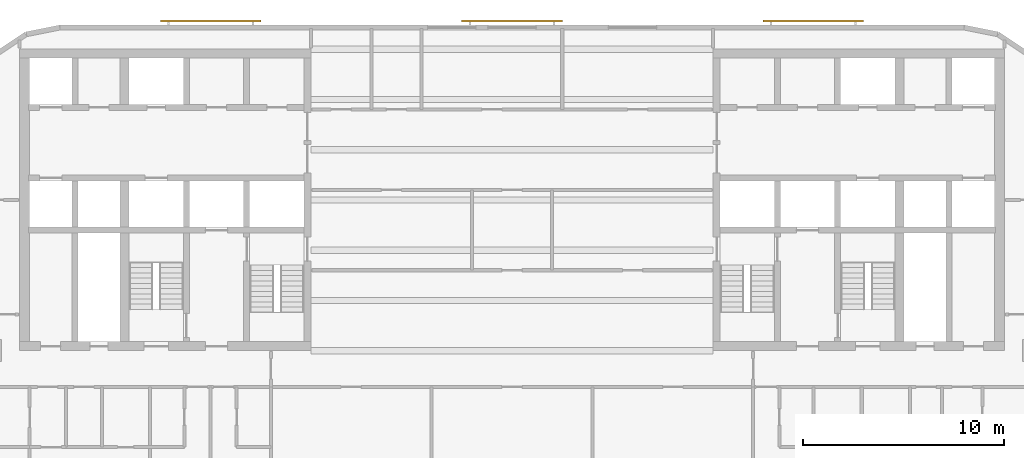
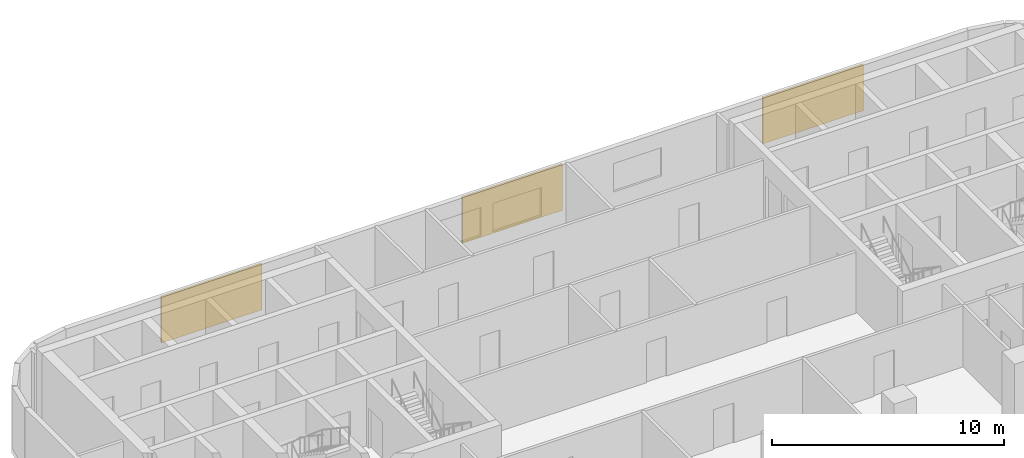
# One storey, part 10 of 11: 3 shading devices.
"""IFC4 building model written with IfcOpenShell, lengths in metres."""

from ifc_helpers import new_model, si_unit, direction, frame, origin, origin_2d, place, context, subcontext, project, spatial, rectangle, extrude, material, layer, layer_set, type_object, element, save


model = new_model("IFC4")

# Units and contexts
model_context = context("Model", 3, precision=1e-05, world=origin(), true_north=direction((0.0, 1.0)))
body_context = subcontext(model_context, "Body", "Model", "MODEL_VIEW")
ifc_project = project(units=[si_unit("LENGTHUNIT", "METRE"), si_unit("AREAUNIT", "SQUARE_METRE"), si_unit("VOLUMEUNIT", "CUBIC_METRE"), si_unit("PLANEANGLEUNIT", "RADIAN"), si_unit("MASSUNIT", "GRAM", prefix="KILO")], contexts=[model_context])

# Site, building, storey
site_placement = place(None, origin())
site = spatial("IfcSite", under=ifc_project, at=site_placement, CompositionType="ELEMENT")
building_placement = place(site_placement, origin())
building = spatial("IfcBuilding", under=site, at=building_placement, Name="Torana Hotel and Residences", CompositionType="ELEMENT")
storey_placement = place(building_placement, frame((0.0, 0.0, 187.10009765625)))
storey = spatial("IfcBuildingStorey", under=building, at=storey_placement, Name="L48", CompositionType="ELEMENT", Elevation=187.10009765625)

# Shading devices
ifc_material = material(Name="Concrete C40/50 precast", Category="concrete")
ifc_layer = layer(ifc_material, 0.10009765625)
ifc_layer_set = layer_set([ifc_layer], Name="SC1 PERFORATED BLOCK SCREEN PANEL 100")
shading_device_type = type_object("IfcShadingDeviceType", Name="SC1 PERFORATED BLOCK SCREEN PANEL 100", PredefinedType="USERDEFINED", material=ifc_layer_set)
for number, where, z_axis, x_axis, name in (
    (1, (14.983642578125, 1.39990234375, 0.5), (0.0, 0.0, 1.0), (-1.0, 0.0, 0.0), "Perforated block screen L48"),
    (2, (0.0, 1.39990234375, 0.5), (0.0, 0.0, 1.0), (-1.0, 0.0, 0.0), "Perforated block screen L48"),
    (3, (-14.983642578125, 1.39990234375, 0.5), (0.0, 0.0, 1.0), (-1.0, 0.0, 0.0), "Perforated block screen L48"),
):
    element("IfcShadingDevice", number, at=place(storey_placement, frame(where, z_axis=z_axis, x_axis=x_axis)), inside=storey, type_object=shading_device_type, Name=name, ObjectType="SCREEN", PredefinedType="USERDEFINED", context=body_context, shape_type="SweptSolid", body=[
        extrude(rectangle(XDim=5.0, YDim=0.10009765625, at=origin_2d()), origin(), (0.0, 0.0, 1.0), 2.419921875),
    ])

save(model, "model.ifc")
